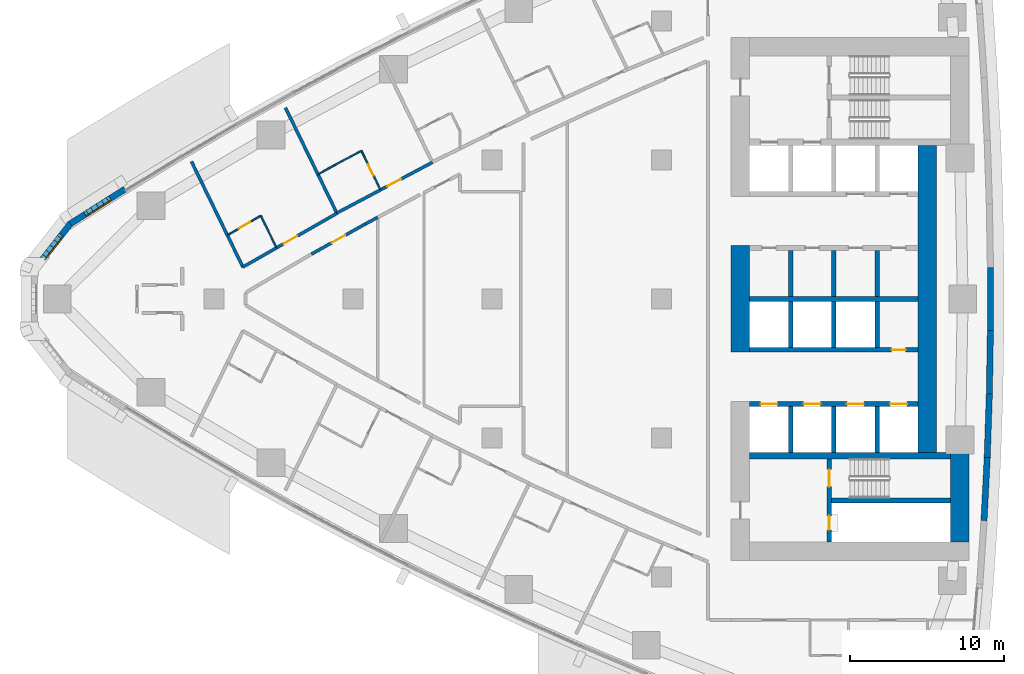
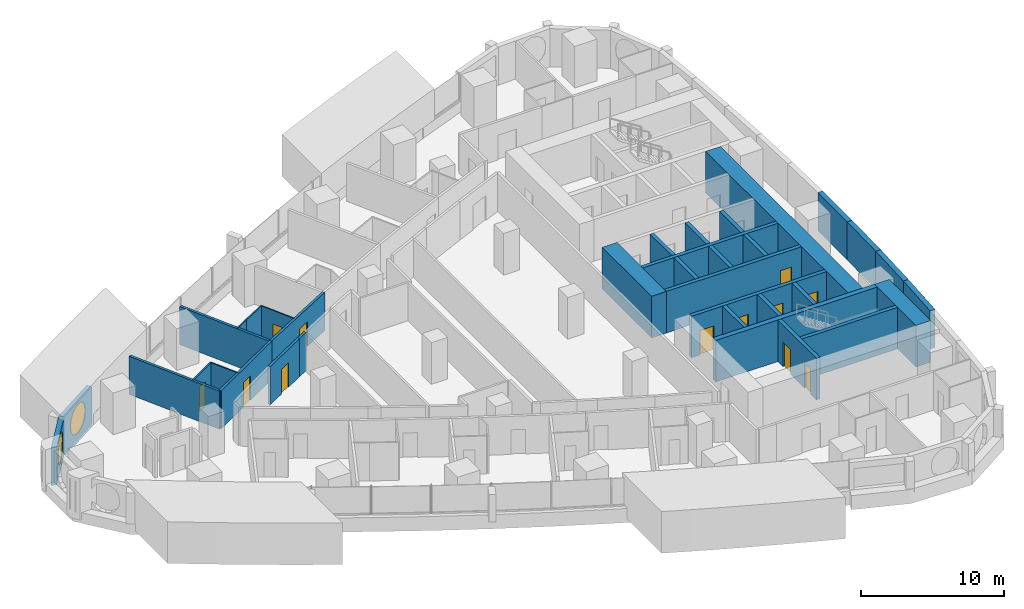
# One storey, part 11 of 19: 35 walls, 12 doors, 2 windows, 14 openings.
"""IFC4 building model written with IfcOpenShell, lengths in metres."""

from ifc_helpers import new_model, si_unit, direction, frame, frame_2d, origin, place, context, subcontext, project, spatial, polyline, rectangle, outline, extrude, material, layer, layer_set, type_object, element, fill, save


model = new_model("IFC4")

# Units and contexts
model_context = context("Model", 3, precision=1e-05, world=origin(), true_north=direction((0.0, 1.0)))
body_context = subcontext(model_context, "Body", "Model", "MODEL_VIEW")
ifc_project = project(units=[si_unit("LENGTHUNIT", "METRE"), si_unit("AREAUNIT", "SQUARE_METRE"), si_unit("VOLUMEUNIT", "CUBIC_METRE"), si_unit("PLANEANGLEUNIT", "RADIAN"), si_unit("MASSUNIT", "GRAM", prefix="KILO")], contexts=[model_context])

# Site, building, storey
site_placement = place(None, origin())
site = spatial("IfcSite", under=ifc_project, at=site_placement, CompositionType="ELEMENT")
building_placement = place(site_placement, origin())
building = spatial("IfcBuilding", under=site, at=building_placement, Name="Ostrand Prow Hotel Tower", CompositionType="ELEMENT")
storey_placement = place(building_placement, frame((0.0, 0.0, 68.0)))
storey = spatial("IfcBuildingStorey", under=building, at=storey_placement, Name="L15", CompositionType="ELEMENT", Elevation=68.0)

# Walls
ifc_material_1 = material(Name="Concrete C80/95", Category="concrete")
ifc_layer_1 = layer(ifc_material_1, 1.199951171875)
ifc_layer_set_1 = layer_set([ifc_layer_1], Name="Concrete C80/95")
wall_type_1 = type_object("IfcWallType", Name="Core wall 1200 C80/95", PredefinedType="SHEAR", material=ifc_layer_set_1)
wall_1_placement = place(storey_placement, frame((50.10009765625, -3.449951171875, 0.0), z_axis=(0.0, 0.0, 1.0), x_axis=(0.0, 1.0, 0.0)))
element("IfcWall", 1, at=wall_1_placement, inside=storey, type_object=wall_type_1, Name="Core wall CW-W-C", PredefinedType="SHEAR", context=body_context, shape_type="SweptSolid", body=[
    extrude(rectangle(XDim=6.89990234375, YDim=1.199951171875, at=frame_2d((3.449951171875, 0.0))), origin(), (0.0, 0.0, 1.0), 3.550048828125),
])
wall_2_placement = place(storey_placement, frame((64.320068359375, -15.75, 0.0), z_axis=(0.0, 0.0, 1.0), x_axis=(0.0, 1.0, 0.0)))
element("IfcWall", 2, at=wall_2_placement, inside=storey, type_object=wall_type_1, Name="Core wall CW-E-S", PredefinedType="SHEAR", context=body_context, shape_type="SweptSolid", body=[
    extrude(rectangle(XDim=5.800048828125, YDim=1.199951171875, at=frame_2d((2.89990234375, 0.0))), origin(), (0.0, 0.0, 1.0), 3.550048828125),
])
wall_3_placement = place(storey_placement, frame((62.199951171875, -9.949951171875, 0.0), z_axis=(0.0, 0.0, 1.0), x_axis=(0.0, 1.0, 0.0)))
element("IfcWall", 3, at=wall_3_placement, inside=storey, type_object=wall_type_1, Name="Core wall CW-E-C", PredefinedType="SHEAR", context=body_context, shape_type="SweptSolid", body=[
    extrude(rectangle(XDim=19.89990234375, YDim=1.199951171875, at=frame_2d((9.949951171875, 0.0))), origin(), (0.0, 0.0, 1.0), 3.550048828125),
])
ifc_material_2 = material(Name="Concrete C80/95", Category="concrete")
ifc_layer_2 = layer(ifc_material_2, 0.300048828125)
ifc_layer_set_2 = layer_set([ifc_layer_2], Name="Concrete C80/95")
wall_type_2 = type_object("IfcWallType", Name="Core wall 300 C80/95", PredefinedType="SHEAR", material=ifc_layer_set_2)
wall_4_placement = place(storey_placement, frame((50.699951171875, 0.0, 0.0), z_axis=(0.0, 0.0, 1.0), x_axis=(1.0, 0.0, 0.0)))
element("IfcWall", 4, at=wall_4_placement, inside=storey, type_object=wall_type_2, Name="Core wall PW-C", PredefinedType="SHEAR", context=body_context, shape_type="SweptSolid", body=[
    extrude(rectangle(XDim=10.900146484375, YDim=0.300048828125, at=frame_2d((5.4501953125, 0.0))), origin(), (0.0, 0.0, 1.0), 3.550048828125),
])
for number, where, z_axis, x_axis, name in (
    (5, (53.35009765625, 0.14990234375, 0.0), (0.0, 0.0, 1.0), (0.0, 1.0, 0.0), "Core wall PW-R1-NB"),
    (6, (56.14990234375, 0.14990234375, 0.0), (0.0, 0.0, 1.0), (0.0, 1.0, 0.0), "Core wall PW-R2-NB"),
    (7, (58.949951171875, 0.14990234375, 0.0), (0.0, 0.0, 1.0), (0.0, 1.0, 0.0), "Core wall PW-R3-NB"),
):
    element("IfcWall", number, at=place(storey_placement, frame(where, z_axis=z_axis, x_axis=x_axis)), inside=storey, type_object=wall_type_2, Name=name, PredefinedType="SHEAR", context=body_context, shape_type="SweptSolid", body=[
        extrude(rectangle(XDim=3.0, YDim=0.300048828125, at=frame_2d((1.5, 0.0))), origin(), (0.0, 0.0, 1.0), 3.550048828125),
    ])

# Wall, opening, door
wall_5_placement = place(storey_placement, frame((50.699951171875, -3.300048828125, 0.0), z_axis=(0.0, 0.0, 1.0), x_axis=(1.0, 0.0, 0.0)))
wall_5 = element("IfcWall", 8, at=wall_5_placement, inside=storey, type_object=wall_type_2, Name="Core wall PW-L1-S", PredefinedType="SHEAR", context=body_context, shape_type="SweptSolid", body=[
    extrude(rectangle(XDim=10.900146484375, YDim=0.300048828125, at=frame_2d((5.4501953125, 0.0))), origin(), (0.0, 0.0, 1.0), 3.550048828125),
])
opening_1_placement = place(wall_5_placement, frame((9.199951171875, 0.0, 0.0)))
opening_1 = element("IfcOpeningElement", 9, at=opening_1_placement, cuts=wall_5, Name="Opening FD2", PredefinedType="OPENING", context=body_context, shape_type="SweptSolid", body=[
    extrude(rectangle(XDim=0.89990234375, YDim=2.10009765625, at=frame_2d((0.449951171875, 1.050048828125))), frame((0.0, 0.159912109375, 0.0), z_axis=(0.0, -1.0, 0.0), x_axis=(1.0, 0.0, 0.0)), (0.0, 0.0, 1.0), 0.320068359375),
])
ifc_material_3 = material(Name="Steel fire door", Category="steel")
door_type_1 = type_object("IfcDoorType", Name="Fire door 900 EI120", OperationType="SINGLE_SWING_LEFT", PredefinedType="DOOR", material=ifc_material_3)
door_1_placement = place(opening_1_placement, origin())
door_1 = element("IfcDoor", 10, at=door_1_placement, inside=storey, type_object=door_type_1, Name="DOOR", OperationType="SINGLE_SWING_LEFT", OverallHeight=2.10009765625, OverallWidth=0.89990234375, PredefinedType="DOOR", context=body_context, shape_type="SweptSolid", body=[
    extrude(rectangle(XDim=0.89990234375, YDim=2.10009765625, at=frame_2d((0.449951171875, 1.050048828125))), frame((0.0, 0.02490234375, 0.0), z_axis=(0.0, -1.0, 0.0), x_axis=(1.0, 0.0, 0.0)), (0.0, 0.0, 1.0), 0.050048828125),
])
fill(opening_1, door_1)

# Wall, openings, doors
wall_6_placement = place(storey_placement, frame((50.699951171875, -6.800048828125, 0.0), z_axis=(0.0, 0.0, 1.0), x_axis=(1.0, 0.0, 0.0)))
wall_6 = element("IfcWall", 11, at=wall_6_placement, inside=storey, type_object=wall_type_2, Name="Core wall PW-L2-S", PredefinedType="SHEAR", context=body_context, shape_type="SweptSolid", body=[
    extrude(rectangle(XDim=10.900146484375, YDim=0.300048828125, at=frame_2d((5.4501953125, 0.0))), origin(), (0.0, 0.0, 1.0), 3.550048828125),
])
opening_2_placement = place(wall_6_placement, frame((0.699951171875, 0.0, 0.0)))
opening_2 = element("IfcOpeningElement", 12, at=opening_2_placement, cuts=wall_6, Name="Opening LD", PredefinedType="OPENING", context=body_context, shape_type="SweptSolid", body=[
    extrude(rectangle(XDim=1.10009765625, YDim=2.10009765625, at=frame_2d((0.550048828125, 1.050048828125))), frame((0.0, 0.159912109375, 0.0), z_axis=(0.0, -1.0, 0.0), x_axis=(1.0, 0.0, 0.0)), (0.0, 0.0, 1.0), 0.320068359375),
])
opening_3_placement = place(wall_6_placement, frame((3.5, 0.0, 0.0)))
opening_3 = element("IfcOpeningElement", 13, at=opening_3_placement, cuts=wall_6, Name="Opening LD", PredefinedType="OPENING", context=body_context, shape_type="SweptSolid", body=[
    extrude(rectangle(XDim=1.10009765625, YDim=2.10009765625, at=frame_2d((0.550048828125, 1.050048828125))), frame((0.0, 0.159912109375, 0.0), z_axis=(0.0, -1.0, 0.0), x_axis=(1.0, 0.0, 0.0)), (0.0, 0.0, 1.0), 0.320068359375),
])
opening_4_placement = place(wall_6_placement, frame((6.300048828125, 0.0, 0.0)))
opening_4 = element("IfcOpeningElement", 14, at=opening_4_placement, cuts=wall_6, Name="Opening LD", PredefinedType="OPENING", context=body_context, shape_type="SweptSolid", body=[
    extrude(rectangle(XDim=1.10009765625, YDim=2.10009765625, at=frame_2d((0.550048828125, 1.050048828125))), frame((0.0, 0.159912109375, 0.0), z_axis=(0.0, -1.0, 0.0), x_axis=(1.0, 0.0, 0.0)), (0.0, 0.0, 1.0), 0.320068359375),
])
opening_5_placement = place(wall_6_placement, frame((9.10009765625, 0.0, 0.0)))
opening_5 = element("IfcOpeningElement", 15, at=opening_5_placement, cuts=wall_6, Name="Opening LD", PredefinedType="OPENING", context=body_context, shape_type="SweptSolid", body=[
    extrude(rectangle(XDim=1.10009765625, YDim=2.10009765625, at=frame_2d((0.550048828125, 1.050048828125))), frame((0.0, 0.159912109375, 0.0), z_axis=(0.0, -1.0, 0.0), x_axis=(1.0, 0.0, 0.0)), (0.0, 0.0, 1.0), 0.320068359375),
])
ifc_material_4 = material(Name="Stainless steel door", Category="steel")
door_type_2 = type_object("IfcDoorType", Name="Lift landing door 1100", OperationType="DOUBLE_DOOR_SLIDING", PredefinedType="DOOR", material=ifc_material_4)
door_2_placement = place(opening_2_placement, origin())
door_2 = element("IfcDoor", 16, at=door_2_placement, inside=storey, type_object=door_type_2, Name="LIFT LANDING DOOR", OperationType="DOUBLE_DOOR_SLIDING", OverallHeight=2.10009765625, OverallWidth=1.10009765625, PredefinedType="DOOR", context=body_context, shape_type="SweptSolid", body=[
    extrude(rectangle(XDim=1.10009765625, YDim=2.10009765625, at=frame_2d((0.550048828125, 1.050048828125))), frame((0.0, 0.02490234375, 0.0), z_axis=(0.0, -1.0, 0.0), x_axis=(1.0, 0.0, 0.0)), (0.0, 0.0, 1.0), 0.050048828125),
])
fill(opening_2, door_2)
door_3_placement = place(opening_3_placement, origin())
door_3 = element("IfcDoor", 17, at=door_3_placement, inside=storey, type_object=door_type_2, Name="LIFT LANDING DOOR", OperationType="DOUBLE_DOOR_SLIDING", OverallHeight=2.10009765625, OverallWidth=1.10009765625, PredefinedType="DOOR", context=body_context, shape_type="SweptSolid", body=[
    extrude(rectangle(XDim=1.10009765625, YDim=2.10009765625, at=frame_2d((0.550048828125, 1.050048828125))), frame((0.0, 0.02490234375, 0.0), z_axis=(0.0, -1.0, 0.0), x_axis=(1.0, 0.0, 0.0)), (0.0, 0.0, 1.0), 0.050048828125),
])
fill(opening_3, door_3)
door_4_placement = place(opening_4_placement, origin())
door_4 = element("IfcDoor", 18, at=door_4_placement, inside=storey, type_object=door_type_2, Name="LIFT LANDING DOOR", OperationType="DOUBLE_DOOR_SLIDING", OverallHeight=2.10009765625, OverallWidth=1.10009765625, PredefinedType="DOOR", context=body_context, shape_type="SweptSolid", body=[
    extrude(rectangle(XDim=1.10009765625, YDim=2.10009765625, at=frame_2d((0.550048828125, 1.050048828125))), frame((0.0, 0.02490234375, 0.0), z_axis=(0.0, -1.0, 0.0), x_axis=(1.0, 0.0, 0.0)), (0.0, 0.0, 1.0), 0.050048828125),
])
fill(opening_4, door_4)
door_5_placement = place(opening_5_placement, origin())
door_5 = element("IfcDoor", 19, at=door_5_placement, inside=storey, type_object=door_type_2, Name="LIFT LANDING DOOR", OperationType="DOUBLE_DOOR_SLIDING", OverallHeight=2.10009765625, OverallWidth=1.10009765625, PredefinedType="DOOR", context=body_context, shape_type="SweptSolid", body=[
    extrude(rectangle(XDim=1.10009765625, YDim=2.10009765625, at=frame_2d((0.550048828125, 1.050048828125))), frame((0.0, 0.02490234375, 0.0), z_axis=(0.0, -1.0, 0.0), x_axis=(1.0, 0.0, 0.0)), (0.0, 0.0, 1.0), 0.050048828125),
])
fill(opening_5, door_5)

# Walls
for number, where, z_axis, x_axis, name in (
    (20, (53.35009765625, -3.14990234375, 0.0), (0.0, 0.0, 1.0), (0.0, 1.0, 0.0), "Core wall PW-R1-SB"),
    (21, (53.35009765625, -9.949951171875, 0.0), (0.0, 0.0, 1.0), (0.0, 1.0, 0.0), "Core wall PW-R1-SA"),
    (22, (56.14990234375, -3.14990234375, 0.0), (0.0, 0.0, 1.0), (0.0, 1.0, 0.0), "Core wall PW-R2-SB"),
    (23, (56.14990234375, -9.949951171875, 0.0), (0.0, 0.0, 1.0), (0.0, 1.0, 0.0), "Core wall PW-R2-SA"),
    (24, (58.949951171875, -3.14990234375, 0.0), (0.0, 0.0, 1.0), (0.0, 1.0, 0.0), "Core wall PW-R3-SB"),
    (25, (58.949951171875, -9.949951171875, 0.0), (0.0, 0.0, 1.0), (0.0, 1.0, 0.0), "Core wall PW-R3-SA"),
):
    element("IfcWall", number, at=place(storey_placement, frame(where, z_axis=z_axis, x_axis=x_axis)), inside=storey, type_object=wall_type_2, Name=name, PredefinedType="SHEAR", context=body_context, shape_type="SweptSolid", body=[
        extrude(rectangle(XDim=3.0, YDim=0.300048828125, at=frame_2d((1.5, 0.0))), origin(), (0.0, 0.0, 1.0), 3.550048828125),
    ])

# Wall, openings, doors
wall_7_placement = place(storey_placement, frame((55.85009765625, -15.75, 0.0), z_axis=(0.0, 0.0, 1.0), x_axis=(0.0, 1.0, 0.0)))
wall_7 = element("IfcWall", 26, at=wall_7_placement, inside=storey, type_object=wall_type_2, Name="Core wall PW-VS", PredefinedType="SHEAR", context=body_context, shape_type="SweptSolid", body=[
    extrude(rectangle(XDim=5.39990234375, YDim=0.300048828125, at=frame_2d((2.699951171875, 0.0))), origin(), (0.0, 0.0, 1.0), 3.550048828125),
])
opening_6_placement = place(wall_7_placement, frame((3.60009765625, 0.0, 0.0)))
opening_6 = element("IfcOpeningElement", 27, at=opening_6_placement, cuts=wall_7, Name="Opening FD1", PredefinedType="OPENING", context=body_context, shape_type="SweptSolid", body=[
    extrude(rectangle(XDim=1.10009765625, YDim=2.10009765625, at=frame_2d((0.550048828125, 1.050048828125))), frame((0.0, 0.159912109375, 0.0), z_axis=(0.0, -1.0, 0.0), x_axis=(1.0, 0.0, 0.0)), (0.0, 0.0, 1.0), 0.320068359375),
])
opening_7_placement = place(wall_7_placement, frame((0.800048828125, 0.0, 0.0)))
opening_7 = element("IfcOpeningElement", 28, at=opening_7_placement, cuts=wall_7, Name="Opening FD2", PredefinedType="OPENING", context=body_context, shape_type="SweptSolid", body=[
    extrude(rectangle(XDim=0.89990234375, YDim=2.10009765625, at=frame_2d((0.449951171875, 1.050048828125))), frame((0.0, 0.159912109375, 0.0), z_axis=(0.0, -1.0, 0.0), x_axis=(1.0, 0.0, 0.0)), (0.0, 0.0, 1.0), 0.320068359375),
])
ifc_material_5 = material(Name="Steel fire door", Category="steel")
door_type_3 = type_object("IfcDoorType", Name="Fire door 1100 EI120", OperationType="SINGLE_SWING_RIGHT", PredefinedType="DOOR", material=ifc_material_5)
door_6_placement = place(opening_6_placement, origin())
door_6 = element("IfcDoor", 29, at=door_6_placement, inside=storey, type_object=door_type_3, Name="FIRE DOOR", OperationType="SINGLE_SWING_RIGHT", OverallHeight=2.10009765625, OverallWidth=1.10009765625, PredefinedType="DOOR", context=body_context, shape_type="SweptSolid", body=[
    extrude(rectangle(XDim=1.10009765625, YDim=2.10009765625, at=frame_2d((0.550048828125, 1.050048828125))), frame((0.0, 0.02490234375, 0.0), z_axis=(0.0, -1.0, 0.0), x_axis=(1.0, 0.0, 0.0)), (0.0, 0.0, 1.0), 0.050048828125),
])
fill(opening_6, door_6)
door_7_placement = place(opening_7_placement, origin())
door_7 = element("IfcDoor", 30, at=door_7_placement, inside=storey, type_object=door_type_1, Name="FIRE DOOR", OperationType="SINGLE_SWING_LEFT", OverallHeight=2.10009765625, OverallWidth=0.89990234375, PredefinedType="DOOR", context=body_context, shape_type="SweptSolid", body=[
    extrude(rectangle(XDim=0.89990234375, YDim=2.10009765625, at=frame_2d((0.449951171875, 1.050048828125))), frame((0.0, 0.02490234375, 0.0), z_axis=(0.0, -1.0, 0.0), x_axis=(1.0, 0.0, 0.0)), (0.0, 0.0, 1.0), 0.050048828125),
])
fill(opening_7, door_7)

# Walls
wall_8_placement = place(storey_placement, frame((56.0, -13.050048828125, 0.0), z_axis=(0.0, 0.0, 1.0), x_axis=(1.0, 0.0, 0.0)))
element("IfcWall", 31, at=wall_8_placement, inside=storey, type_object=wall_type_2, Name="Core wall PW-ST2R", PredefinedType="SHEAR", context=body_context, shape_type="SweptSolid", body=[
    extrude(rectangle(XDim=7.719970703125, YDim=0.300048828125, at=frame_2d((3.85986328125, 0.0))), origin(), (0.0, 0.0, 1.0), 3.550048828125),
])
ifc_material_6 = material(Name="Concrete C80/95", Category="concrete")
ifc_layer_3 = layer(ifc_material_6, 0.39990234375)
ifc_layer_set_3 = layer_set([ifc_layer_3], Name="Concrete C80/95")
wall_type_3 = type_object("IfcWallType", Name="Core wall 400 C80/95", PredefinedType="SHEAR", material=ifc_layer_set_3)
wall_9_placement = place(storey_placement, frame((50.699951171875, -10.14990234375, 0.0), z_axis=(0.0, 0.0, 1.0), x_axis=(1.0, 0.0, 0.0)))
element("IfcWall", 32, at=wall_9_placement, inside=storey, type_object=wall_type_3, Name="Core wall PW-BS", PredefinedType="SHEAR", context=body_context, shape_type="SweptSolid", body=[
    extrude(rectangle(XDim=13.02001953125, YDim=0.39990234375, at=frame_2d((6.510009765625, 0.0))), origin(), (0.0, 0.0, 1.0), 3.550048828125),
])

# Wall, opening, door
ifc_material_7 = material(Name="Plasterboard partition")
ifc_layer_4 = layer(ifc_material_7, 0.10009765625)
ifc_layer_set_4 = layer_set([ifc_layer_4], Name="Plasterboard partition")
wall_type_4 = type_object("IfcWallType", Name="Partition 100 bathroom wall", PredefinedType="PARTITIONING", material=ifc_layer_set_4)
wall_10_placement = place(storey_placement, frame((16.898193359375, 4.1435546875, 0.0), z_axis=(0.0, 0.0, 1.0), x_axis=(0.863707305865, 0.503993739837, 0.0)))
wall_10 = element("IfcWall", 33, at=wall_10_placement, inside=storey, type_object=wall_type_4, Name="BATHROOM WALL", PredefinedType="PARTITIONING", context=body_context, shape_type="SweptSolid", body=[
    extrude(rectangle(XDim=2.473876953125, YDim=0.10009765625, at=frame_2d((1.23681640625, 0.0))), origin(), (0.0, 0.0, 1.0), 3.25),
])
opening_8_placement = place(wall_10_placement, frame((0.85009765625, 0.0, 0.0)))
opening_8 = element("IfcOpeningElement", 34, at=opening_8_placement, cuts=wall_10, Name="Opening D2", PredefinedType="OPENING", context=body_context, shape_type="SweptSolid", body=[
    extrude(rectangle(XDim=0.800048828125, YDim=2.10009765625, at=frame_2d((0.39990234375, 1.050048828125))), frame((0.0, 0.06005859375, 0.0), z_axis=(0.0, -1.0, 0.0), x_axis=(1.0, 0.0, 0.0)), (0.0, 0.0, 1.0), 0.1201171875),
])
ifc_material_8 = material(Name="Timber door leaf", Category="wood")
door_type_4 = type_object("IfcDoorType", Name="Bathroom door 800", OperationType="SINGLE_SWING_LEFT", PredefinedType="DOOR", material=ifc_material_8)
door_8_placement = place(opening_8_placement, origin())
door_8 = element("IfcDoor", 35, at=door_8_placement, inside=storey, type_object=door_type_4, Name="DOOR", OperationType="SINGLE_SWING_LEFT", OverallHeight=2.10009765625, OverallWidth=0.800048828125, PredefinedType="DOOR", context=body_context, shape_type="SweptSolid", body=[
    extrude(rectangle(XDim=0.800048828125, YDim=2.10009765625, at=frame_2d((0.39990234375, 1.050048828125))), frame((0.0, 0.02490234375, 0.0), z_axis=(0.0, -1.0, 0.0), x_axis=(1.0, 0.0, 0.0)), (0.0, 0.0, 1.0), 0.050048828125),
])
fill(opening_8, door_8)

# Walls
wall_11_placement = place(storey_placement, frame((19.03515625, 5.390380859375, 0.0), z_axis=(0.0, 0.0, 1.0), x_axis=(0.438122322582, -0.898915363344, 0.0)))
element("IfcWall", 36, at=wall_11_placement, inside=storey, type_object=wall_type_4, Name="BATHROOM WALL", PredefinedType="PARTITIONING", context=body_context, shape_type="SweptSolid", body=[
    extrude(rectangle(XDim=2.282958984375, YDim=0.10009765625, at=frame_2d((1.1416015625, 0.0))), origin(), (0.0, 0.0, 1.0), 3.25),
])
wall_12_placement = place(storey_placement, frame((22.736572265625, 8.067138671875, 0.0), z_axis=(0.0, 0.0, 1.0), x_axis=(0.872799020153, 0.488079778745, 0.0)))
element("IfcWall", 37, at=wall_12_placement, inside=storey, type_object=wall_type_4, Name="BATHROOM WALL", PredefinedType="PARTITIONING", context=body_context, shape_type="SweptSolid", body=[
    extrude(rectangle(XDim=1.16455078125, YDim=0.10009765625, at=frame_2d((0.582275390625, 0.0))), origin(), (0.0, 0.0, 1.0), 3.25),
])
wall_13_placement = place(storey_placement, frame((23.7529296875, 8.635498046875, 0.0), z_axis=(0.0, 0.0, 1.0), x_axis=(0.881675736231, 0.471855800156, 0.0)))
element("IfcWall", 38, at=wall_13_placement, inside=storey, type_object=wall_type_4, Name="BATHROOM WALL", PredefinedType="PARTITIONING", context=body_context, shape_type="SweptSolid", body=[
    extrude(rectangle(XDim=2.03857421875, YDim=0.10009765625, at=frame_2d((1.019287109375, 0.0))), origin(), (0.0, 0.0, 1.0), 3.25),
])

# Wall, opening, door
wall_14_placement = place(storey_placement, frame((25.55029296875, 9.597412109375, 0.0), z_axis=(0.0, 0.0, 1.0), x_axis=(0.43822975423, -0.898862994292, 0.0)))
wall_14 = element("IfcWall", 39, at=wall_14_placement, inside=storey, type_object=wall_type_4, Name="BATHROOM WALL", PredefinedType="PARTITIONING", context=body_context, shape_type="SweptSolid", body=[
    extrude(rectangle(XDim=2.77880859375, YDim=0.10009765625, at=frame_2d((1.389404296875, 0.0))), origin(), (0.0, 0.0, 1.0), 3.25),
])
opening_9_placement = place(wall_14_placement, frame((1.0, 0.0, 0.0)))
opening_9 = element("IfcOpeningElement", 40, at=opening_9_placement, cuts=wall_14, Name="Opening D2", PredefinedType="OPENING", context=body_context, shape_type="SweptSolid", body=[
    extrude(rectangle(XDim=0.800048828125, YDim=2.10009765625, at=frame_2d((0.39990234375, 1.050048828125))), frame((0.0, 0.06005859375, 0.0), z_axis=(0.0, -1.0, 0.0), x_axis=(1.0, 0.0, 0.0)), (0.0, 0.0, 1.0), 0.1201171875),
])
door_9_placement = place(opening_9_placement, origin())
door_9 = element("IfcDoor", 41, at=door_9_placement, inside=storey, type_object=door_type_4, Name="DOOR", OperationType="SINGLE_SWING_LEFT", OverallHeight=2.10009765625, OverallWidth=0.800048828125, PredefinedType="DOOR", context=body_context, shape_type="SweptSolid", body=[
    extrude(rectangle(XDim=0.800048828125, YDim=2.10009765625, at=frame_2d((0.39990234375, 1.050048828125))), frame((0.0, 0.02490234375, 0.0), z_axis=(0.0, -1.0, 0.0), x_axis=(1.0, 0.0, 0.0)), (0.0, 0.0, 1.0), 0.050048828125),
])
fill(opening_9, door_9)

ifc_material_9 = material(Name="Plasterboard partition")
ifc_layer_5 = layer(ifc_material_9, 0.199951171875)
ifc_layer_set_5 = layer_set([ifc_layer_5], Name="Plasterboard partition")
wall_type_5 = type_object("IfcWallType", Name="Partition 200 corridor wall", PredefinedType="PARTITIONING", material=ifc_layer_set_5)
wall_15_placement = place(storey_placement, frame((17.87353515625, 2.068115234375, 0.0), z_axis=(0.0, 0.0, 1.0), x_axis=(0.868427275315, 0.495816566373, 0.0)))
wall_15 = element("IfcWall", 42, at=wall_15_placement, inside=storey, type_object=wall_type_5, Name="CORRIDOR WALL", PredefinedType="PARTITIONING", context=body_context, shape_type="SweptSolid", body=[
    extrude(rectangle(XDim=7.0146484375, YDim=0.199951171875, at=frame_2d((3.50732421875, 0.0))), origin(), (0.0, 0.0, 1.0), 3.25),
])
opening_10_placement = place(wall_15_placement, frame((3.050048828125, 0.0, 0.0)))
opening_10 = element("IfcOpeningElement", 43, at=opening_10_placement, cuts=wall_15, Name="Opening D1", PredefinedType="OPENING", context=body_context, shape_type="SweptSolid", body=[
    extrude(rectangle(XDim=1.0, YDim=2.10009765625, at=frame_2d((0.5, 1.050048828125))), frame((0.0, 0.10986328125, 0.0), z_axis=(0.0, -1.0, 0.0), x_axis=(1.0, 0.0, 0.0)), (0.0, 0.0, 1.0), 0.219970703125),
])
ifc_material_10 = material(Name="Timber door leaf", Category="wood")
door_type_5 = type_object("IfcDoorType", Name="Guest room door 1000", OperationType="SINGLE_SWING_LEFT", PredefinedType="DOOR", material=ifc_material_10)
door_10_placement = place(opening_10_placement, origin())
door_10 = element("IfcDoor", 44, at=door_10_placement, inside=storey, type_object=door_type_5, Name="DOOR", OperationType="SINGLE_SWING_LEFT", OverallHeight=2.10009765625, OverallWidth=1.0, PredefinedType="DOOR", context=body_context, shape_type="SweptSolid", body=[
    extrude(rectangle(XDim=1.0, YDim=2.10009765625, at=frame_2d((0.5, 1.050048828125))), frame((0.0, 0.02490234375, 0.0), z_axis=(0.0, -1.0, 0.0), x_axis=(1.0, 0.0, 0.0)), (0.0, 0.0, 1.0), 0.050048828125),
])
fill(opening_10, door_10)

wall_16_placement = place(storey_placement, frame((23.95654296875, 5.564208984375, 0.0), z_axis=(0.0, 0.0, 1.0), x_axis=(0.883455325405, 0.468515408513, 0.0)))
wall_16 = element("IfcWall", 45, at=wall_16_placement, inside=storey, type_object=wall_type_5, Name="CORRIDOR WALL", PredefinedType="PARTITIONING", context=body_context, shape_type="SweptSolid", body=[
    extrude(rectangle(XDim=7.00390625, YDim=0.199951171875, at=frame_2d((3.501953125, 0.0))), origin(), (0.0, 0.0, 1.0), 3.25),
])
opening_11_placement = place(wall_16_placement, frame((3.699951171875, 0.0, 0.0)))
opening_11 = element("IfcOpeningElement", 46, at=opening_11_placement, cuts=wall_16, Name="Opening D1", PredefinedType="OPENING", context=body_context, shape_type="SweptSolid", body=[
    extrude(rectangle(XDim=1.0, YDim=2.10009765625, at=frame_2d((0.5, 1.050048828125))), frame((0.0, 0.10986328125, 0.0), z_axis=(0.0, -1.0, 0.0), x_axis=(1.0, 0.0, 0.0)), (0.0, 0.0, 1.0), 0.219970703125),
])
door_11_placement = place(opening_11_placement, origin())
door_11 = element("IfcDoor", 47, at=door_11_placement, inside=storey, type_object=door_type_5, Name="DOOR", OperationType="SINGLE_SWING_LEFT", OverallHeight=2.10009765625, OverallWidth=1.0, PredefinedType="DOOR", context=body_context, shape_type="SweptSolid", body=[
    extrude(rectangle(XDim=1.0, YDim=2.10009765625, at=frame_2d((0.5, 1.050048828125))), frame((0.0, 0.02490234375, 0.0), z_axis=(0.0, -1.0, 0.0), x_axis=(1.0, 0.0, 0.0)), (0.0, 0.0, 1.0), 0.050048828125),
])
fill(opening_11, door_11)

wall_17_placement = place(storey_placement, frame((22.31201171875, 2.903076171875, 0.0), z_axis=(0.0, 0.0, 1.0), x_axis=(0.872800289292, 0.488077509225, 0.0)))
wall_17 = element("IfcWall", 48, at=wall_17_placement, inside=storey, type_object=wall_type_5, Name="CORRIDOR WALL", PredefinedType="PARTITIONING", context=body_context, shape_type="SweptSolid", body=[
    extrude(rectangle(XDim=4.015625, YDim=0.199951171875, at=frame_2d((2.0078125, 0.0))), origin(), (0.0, 0.0, 1.0), 3.25),
])
opening_12_placement = place(wall_17_placement, frame((1.5078125, 0.0, 0.0)))
opening_12 = element("IfcOpeningElement", 49, at=opening_12_placement, cuts=wall_17, Name="Opening D1", PredefinedType="OPENING", context=body_context, shape_type="SweptSolid", body=[
    extrude(rectangle(XDim=1.0, YDim=2.10009765625, at=frame_2d((0.5, 1.050048828125))), frame((0.0, 0.10986328125, 0.0), z_axis=(0.0, -1.0, 0.0), x_axis=(1.0, 0.0, 0.0)), (0.0, 0.0, 1.0), 0.219970703125),
])
door_12_placement = place(opening_12_placement, origin())
door_12 = element("IfcDoor", 50, at=door_12_placement, inside=storey, type_object=door_type_5, Name="DOOR", OperationType="SINGLE_SWING_LEFT", OverallHeight=2.10009765625, OverallWidth=1.0, PredefinedType="DOOR", context=body_context, shape_type="SweptSolid", body=[
    extrude(rectangle(XDim=1.0, YDim=2.10009765625, at=frame_2d((0.5, 1.050048828125))), frame((0.0, 0.02490234375, 0.0), z_axis=(0.0, -1.0, 0.0), x_axis=(1.0, 0.0, 0.0)), (0.0, 0.0, 1.0), 0.050048828125),
])
fill(opening_12, door_12)

# Walls
wall_18_placement = place(storey_placement, frame((25.81689453125, 4.863037109375, 0.0), z_axis=(0.0, 0.0, 1.0), x_axis=(0.881715816073, 0.471780902207, 0.0)))
element("IfcWall", 51, at=wall_18_placement, inside=storey, type_object=wall_type_5, Name="CORRIDOR WALL", PredefinedType="PARTITIONING", context=body_context, shape_type="SweptSolid", body=[
    extrude(rectangle(XDim=0.89208984375, YDim=0.199951171875, at=frame_2d((0.446044921875, 0.0))), origin(), (0.0, 0.0, 1.0), 3.25),
])
ifc_material_11 = material(Name="Plasterboard partition")
ifc_layer_6 = layer(ifc_material_11, 0.199951171875)
ifc_layer_set_6 = layer_set([ifc_layer_6], Name="Plasterboard partition")
wall_type_6 = type_object("IfcWallType", Name="Partition 200 key partition", PredefinedType="PARTITIONING", material=ifc_layer_set_6)
wall_19_placement = place(storey_placement, frame((17.88232421875, 2.050048828125, 0.0), z_axis=(0.0, 0.0, 1.0), x_axis=(-0.438213564788, 0.898870887078, 0.0)))
element("IfcWall", 52, at=wall_19_placement, inside=storey, type_object=wall_type_6, Name="KEY PARTITION", PredefinedType="PARTITIONING", context=body_context, shape_type="SweptSolid", body=[
    extrude(rectangle(XDim=7.62548828125, YDim=0.199951171875, at=frame_2d((3.812744140625, 0.0))), origin(), (0.0, 0.0, 1.0), 3.25),
])
wall_20_placement = place(storey_placement, frame((23.96533203125, 5.546142578125, 0.0), z_axis=(0.0, 0.0, 1.0), x_axis=(-0.438184754816, 0.898884931816, 0.0)))
element("IfcWall", 53, at=wall_20_placement, inside=storey, type_object=wall_type_6, Name="KEY PARTITION", PredefinedType="PARTITIONING", context=body_context, shape_type="SweptSolid", body=[
    extrude(rectangle(XDim=7.612060546875, YDim=0.199951171875, at=frame_2d((3.80615234375, 0.0))), origin(), (0.0, 0.0, 1.0), 3.25),
])

# Wall, opening, window
ifc_material_12 = material(Name="Precast concrete C40/50", Category="concrete")
ifc_layer_7 = layer(ifc_material_12, 0.39990234375)
ifc_layer_set_7 = layer_set([ifc_layer_7], Name="Precast concrete C40/50")
wall_type_7 = type_object("IfcWallType", Name="Stone-faced precast wall 400 mm", PredefinedType="NOTDEFINED", material=ifc_layer_set_7)
wall_21_placement = place(storey_placement, frame((10.24169921875, 7.116455078125, 0.0), z_axis=(0.0, 0.0, 1.0), x_axis=(-0.844551578623, -0.535474211372, 0.0)))
wall_21 = element("IfcWall", 54, at=wall_21_placement, inside=storey, type_object=wall_type_7, Name="Stone-faced wall prow 1", PredefinedType="NOTDEFINED", context=body_context, shape_type="SweptSolid", body=[
    extrude(outline(polyline([(0.0, -0.199951171875), (4.23046875, -0.199951171875), (4.16162109375, 0.199951171875), (0.0, 0.199951171875), (0.0, -0.199951171875)])), origin(), (0.0, 0.0, 1.0), 3.25),
])
opening_13_placement = place(wall_21_placement, frame((0.998046875, 0.0, 0.60009765625)))
opening_13 = element("IfcOpeningElement", 55, at=opening_13_placement, cuts=wall_21, Name="Opening WP1", PredefinedType="OPENING", context=body_context, shape_type="SweptSolid", body=[
    extrude(outline(polyline([(0.0, 1.35009765625), (0.083740234375, 1.77099609375), (0.322265625, 2.127685546875), (0.678955078125, 2.3662109375), (1.10009765625, 2.449951171875), (1.52099609375, 2.3662109375), (1.877685546875, 2.127685546875), (2.1162109375, 1.77099609375), (2.199951171875, 1.35009765625), (2.199951171875, 1.10009765625), (2.1162109375, 0.678955078125), (1.877685546875, 0.322265625), (1.52099609375, 0.083740234375), (1.10009765625, 0.0), (0.678955078125, 0.083740234375), (0.322265625, 0.322265625), (0.083740234375, 0.678955078125), (0.0, 1.099853515625), (0.0, 1.35009765625)])), frame((0.0, 0.2099609375, 0.0), z_axis=(0.0, -1.0, 0.0), x_axis=(1.0, 0.0, 0.0)), (0.0, 0.0, 1.0), 0.419921875),
])
ifc_material_13 = material(Name="Insulated glass in bronze frame", Category="glass")
window_type = type_object("IfcWindowType", Name="Round-ended prow window 2200x2450", PartitioningType="SINGLE_PANEL", PredefinedType="WINDOW", material=ifc_material_13)
window_1_placement = place(opening_13_placement, origin())
window_1 = element("IfcWindow", 56, at=window_1_placement, inside=storey, type_object=window_type, Name="Window prow 1.1", OverallHeight=2.449951171875, OverallWidth=2.199951171875, PartitioningType="SINGLE_PANEL", PredefinedType="WINDOW", context=body_context, shape_type="SweptSolid", body=[
    extrude(outline(polyline([(0.0, 1.35009765625), (0.083740234375, 1.77099609375), (0.322265625, 2.127685546875), (0.678955078125, 2.3662109375), (1.10009765625, 2.449951171875), (1.52099609375, 2.3662109375), (1.877685546875, 2.127685546875), (2.1162109375, 1.77099609375), (2.199951171875, 1.35009765625), (2.199951171875, 1.10009765625), (2.1162109375, 0.678955078125), (1.877685546875, 0.322265625), (1.52099609375, 0.083740234375), (1.10009765625, 0.0), (0.678955078125, 0.083740234375), (0.322265625, 0.322265625), (0.083740234375, 0.678955078125), (0.0, 1.099853515625), (0.0, 1.35009765625)])), frame((0.0, 0.169921875, 0.0), z_axis=(0.0, -1.0, 0.0), x_axis=(1.0, 0.0, 0.0)), (0.0, 0.0, 1.0), 0.06005859375),
])
fill(opening_13, window_1)

wall_22_placement = place(storey_placement, frame((6.697998046875, 4.86962890625, 0.0), z_axis=(0.0, 0.0, 1.0), x_axis=(-0.616586647779, -0.787287054245, 0.0)))
wall_22 = element("IfcWall", 57, at=wall_22_placement, inside=storey, type_object=wall_type_7, Name="Stone-faced wall prow 2", PredefinedType="NOTDEFINED", context=body_context, shape_type="SweptSolid", body=[
    extrude(outline(polyline([(-0.034423828125, -0.199951171875), (3.85205078125, -0.199951171875), (3.7138671875, 0.199951171875), (0.034423828125, 0.199951171875), (-0.034423828125, -0.199951171875)])), origin(), (0.0, 0.0, 1.0), 3.25),
])
opening_14_placement = place(wall_22_placement, frame((0.79150390625, 0.0, 0.60009765625)))
opening_14 = element("IfcOpeningElement", 58, at=opening_14_placement, cuts=wall_22, Name="Opening WP1", PredefinedType="OPENING", context=body_context, shape_type="SweptSolid", body=[
    extrude(outline(polyline([(0.0, 1.35009765625), (0.083740234375, 1.77099609375), (0.322265625, 2.127685546875), (0.678955078125, 2.3662109375), (1.10009765625, 2.449951171875), (1.52099609375, 2.3662109375), (1.877685546875, 2.127685546875), (2.1162109375, 1.77099609375), (2.199951171875, 1.35009765625), (2.199951171875, 1.10009765625), (2.1162109375, 0.678955078125), (1.877685546875, 0.322265625), (1.52099609375, 0.083740234375), (1.10009765625, 0.0), (0.678955078125, 0.083740234375), (0.322265625, 0.322265625), (0.083740234375, 0.678955078125), (0.0, 1.099853515625), (0.0, 1.35009765625)])), frame((0.0, 0.2099609375, 0.0), z_axis=(0.0, -1.0, 0.0), x_axis=(1.0, 0.0, 0.0)), (0.0, 0.0, 1.0), 0.419921875),
])
window_2_placement = place(opening_14_placement, origin())
window_2 = element("IfcWindow", 59, at=window_2_placement, inside=storey, type_object=window_type, Name="Window prow 2.1", OverallHeight=2.449951171875, OverallWidth=2.199951171875, PartitioningType="SINGLE_PANEL", PredefinedType="WINDOW", context=body_context, shape_type="SweptSolid", body=[
    extrude(outline(polyline([(0.0, 1.35009765625), (0.083740234375, 1.77099609375), (0.322265625, 2.127685546875), (0.678955078125, 2.3662109375), (1.10009765625, 2.449951171875), (1.52099609375, 2.3662109375), (1.877685546875, 2.127685546875), (2.1162109375, 1.77099609375), (2.199951171875, 1.35009765625), (2.199951171875, 1.10009765625), (2.1162109375, 0.678955078125), (1.877685546875, 0.322265625), (1.52099609375, 0.083740234375), (1.10009765625, 0.0), (0.678955078125, 0.083740234375), (0.322265625, 0.322265625), (0.083740234375, 0.678955078125), (0.0, 1.099853515625), (0.0, 1.35009765625)])), frame((0.0, 0.169921875, 0.0), z_axis=(0.0, -1.0, 0.0), x_axis=(1.0, 0.0, 0.0)), (0.0, 0.0, 1.0), 0.06005859375),
])
fill(opening_14, window_2)

# Walls
for number, where, z_axis, x_axis, name in (
    (60, (65.878173828125, -14.359619140625, 0.0), (0.0, 0.0, 1.0), (0.050314326423, 0.998733432181, 0.0), "Stone-faced wall back 7"),
    (61, (66.084716796875, -10.259765625, 0.0), (0.0, 0.0, 1.0), (0.033542554696, 0.999437290191, 0.0), "Stone-faced wall back 8"),
    (62, (66.222412109375, -6.156982421875, 0.0), (0.0, 0.0, 1.0), (0.016830829972, 0.999858351549, 0.0), "Stone-faced wall back 9"),
    (63, (66.29150390625, -2.052490234375, 0.0), (0.0, 0.0, 1.0), (0.0, 1.0, 0.0), "Stone-faced wall back 10"),
):
    element("IfcWall", number, at=place(storey_placement, frame(where, z_axis=z_axis, x_axis=x_axis)), inside=storey, type_object=wall_type_7, Name=name, PredefinedType="NOTDEFINED", context=body_context, shape_type="SweptSolid", body=[
        extrude(outline(polyline([(-0.001708984375, -0.199951171875), (4.106689453125, -0.199951171875), (4.103271484375, 0.199951171875), (0.001708984375, 0.199951171875), (-0.001708984375, -0.199951171875)])), origin(), (0.0, 0.0, 1.0), 3.25),
    ])

save(model, "model.ifc")
